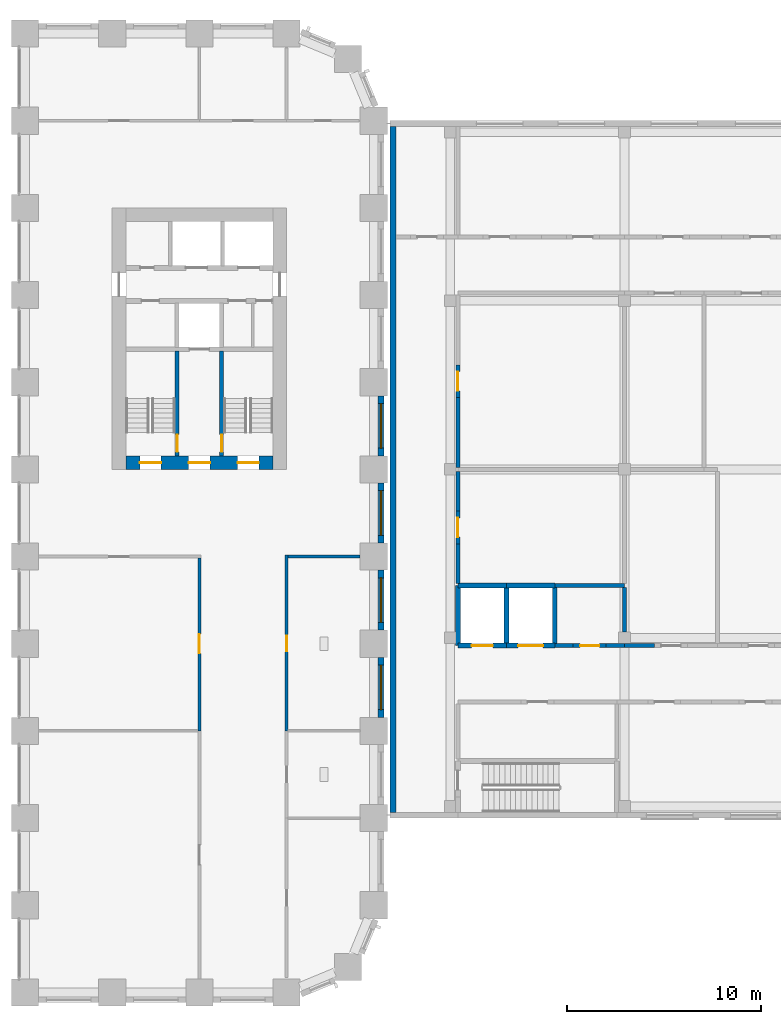
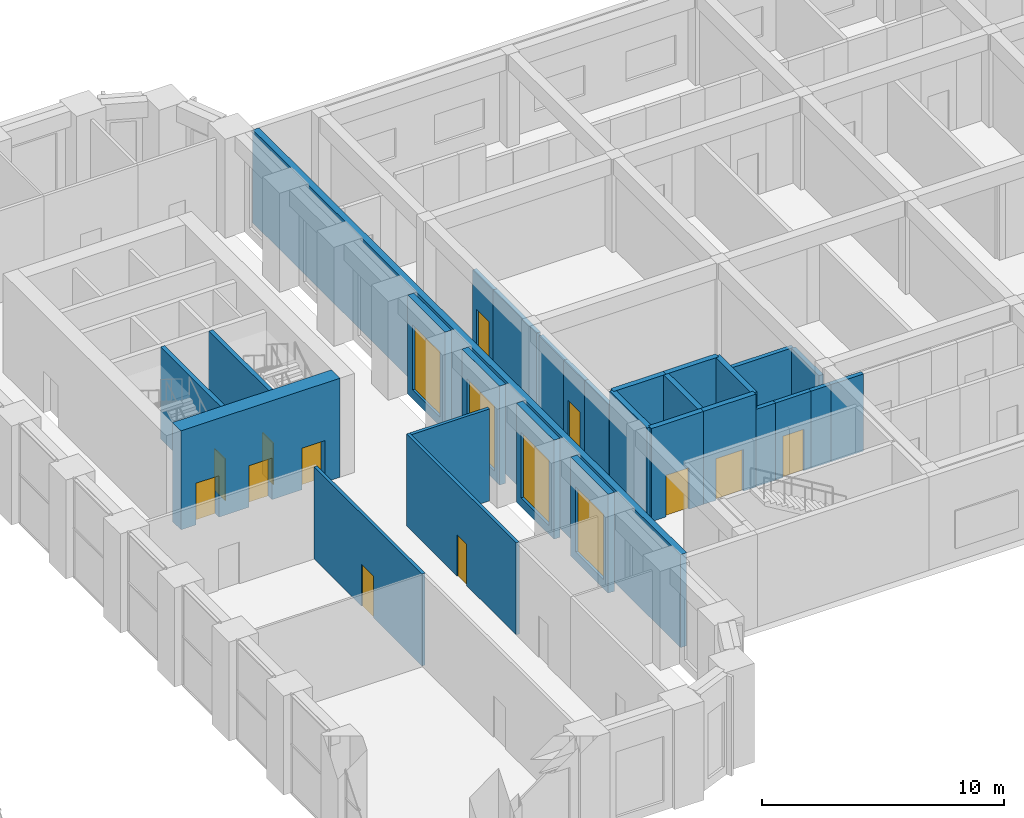
# One storey, part 10 of 24: 29 walls, 12 doors, 4 windows, 16 openings.
"""IFC4 building model written with IfcOpenShell, lengths in metres."""

import ifcopenshell
import ifcopenshell.guid

model = None  # the IFC model being written
_history = None  # IfcOwnerHistory: only IFC2X3 demands one
_inside = {}  # id of a spatial element -> (the spatial element, [elements in it])
_under = {}  # id of a project, library or spatial element -> (it, [spatial elements below it])
_declared = {}  # id of a project -> (the project, [libraries it declares])
_typed = {}  # id of a type object -> (the type object, [elements of that type])
_made_of = {}  # id of a material, layer set ... -> (it, [elements and type objects made of it])


def new_model(schema):
    """Start an empty IFC model of exactly this schema.

    Asked for "IFC4X3", IfcOpenShell would pick the latest addendum, in which some entities
    have other attributes; the version numbers below select the first issue.
    IFC2X3 requires an IfcOwnerHistory on every rooted entity: one is made here for all.
    """
    global model, _history
    if schema == "IFC4X3":
        model = ifcopenshell.file(schema_version=(4, 3, 0, 0))
    else:
        model = ifcopenshell.file(schema=schema)
    _inside.clear()
    _under.clear()
    _declared.clear()
    _typed.clear()
    _made_of.clear()
    _history = None
    if model.schema == "IFC2X3":
        org = make("IfcOrganization", Name="unknown")
        user = make(
            "IfcPersonAndOrganization",
            ThePerson=make("IfcPerson", FamilyName="unknown"),
            TheOrganization=org,
        )
        app = make(
            "IfcApplication",
            ApplicationDeveloper=org,
            Version="unknown",
            ApplicationFullName="unknown",
            ApplicationIdentifier="unknown",
        )
        _history = make(
            "IfcOwnerHistory",
            OwningUser=user,
            OwningApplication=app,
            ChangeAction="ADDED",
            CreationDate=0,
        )
    return model


def make(cls, **values):
    """One entity of the class cls with the attributes given. An attribute that is None is left unset."""
    return model.create_entity(
        cls, **{name: value for name, value in values.items() if value is not None}
    )


def rooted(cls, **values):
    """An entity with a GlobalId (a new one), such as an element, a storey or a relation."""
    return make(cls, GlobalId=ifcopenshell.guid.new(), OwnerHistory=_history, **values)


def si_unit(unit_type, name, prefix=None):
    """IfcSIUnit, for example si_unit("LENGTHUNIT", "METRE", prefix="MILLI")."""
    return make("IfcSIUnit", UnitType=unit_type, Prefix=prefix, Name=name)


def assignment(units):
    """IfcUnitAssignment: the units of a project."""
    return None if units is None else make("IfcUnitAssignment", Units=units)


def point(xyz):
    """IfcCartesianPoint."""
    return None if xyz is None else make("IfcCartesianPoint", Coordinates=xyz)


def direction(xyz):
    """IfcDirection."""
    return None if xyz is None else make("IfcDirection", DirectionRatios=xyz)


def frame(location, z_axis=None, x_axis=None):
    """IfcAxis2Placement3D, a coordinate frame: its origin and axes. An axis left out is left unset."""
    return make(
        "IfcAxis2Placement3D",
        Location=point(location),
        Axis=direction(z_axis),
        RefDirection=direction(x_axis),
    )


def frame_2d(location, x_axis=None):
    """IfcAxis2Placement2D, a coordinate frame in the plane: its origin and x axis."""
    return make(
        "IfcAxis2Placement2D", Location=point(location), RefDirection=direction(x_axis)
    )


def origin():
    """The frame at (0, 0, 0) with its axes left unset."""
    return frame((0.0, 0.0, 0.0))


def place(relative_to, where):
    """IfcLocalPlacement: puts the frame where relative to a parent placement (None: the world)."""
    return make(
        "IfcLocalPlacement", PlacementRelTo=relative_to, RelativePlacement=where
    )


def context(
    kind, dimensions, precision=None, world=None, true_north=None, identifier=None
):
    """IfcGeometricRepresentationContext, for example the 3D "Model" context."""
    return make(
        "IfcGeometricRepresentationContext",
        ContextIdentifier=identifier,
        ContextType=kind,
        CoordinateSpaceDimension=dimensions,
        Precision=precision,
        WorldCoordinateSystem=world,
        TrueNorth=true_north,
    )


def subcontext(parent, identifier, kind, view, scale=None):
    """IfcGeometricRepresentationSubContext, for example "Body" below "Model"."""
    return make(
        "IfcGeometricRepresentationSubContext",
        ContextIdentifier=identifier,
        ContextType=kind,
        ParentContext=parent,
        TargetScale=scale,
        TargetView=view,
    )


def project(units=None, contexts=None):
    """IfcProject with its units and contexts."""
    return rooted(
        "IfcProject",
        Name="project",
        RepresentationContexts=contexts,
        UnitsInContext=assignment(units),
    )


def spatial(cls, under=None, at=None, **own):
    """A site, building, storey or space (cls), placed at a placement, below another one or the project."""
    s = rooted(cls, ObjectPlacement=at, **own)
    if under is not None:
        _under.setdefault(under.id(), (under, []))[1].append(s)
    return s


def profile(cls, at=None, kind="AREA", **sizes):
    """A parametric profile (cls). Its sizes go by their IFC names, for example OverallWidth=200.0."""
    return make(cls, ProfileType=kind, Position=at, **sizes)


def rectangle(**sizes):
    """IfcRectangleProfileDef."""
    return profile("IfcRectangleProfileDef", **sizes)


def extrude(swept, where, along, depth):
    """IfcExtrudedAreaSolid: the profile swept, set in the frame where, extruded along a direction by depth."""
    return make(
        "IfcExtrudedAreaSolid",
        SweptArea=swept,
        Position=where,
        ExtrudedDirection=direction(along),
        Depth=depth,
    )


def shape(context_of_items, identifier, shape_type, items):
    """IfcShapeRepresentation: the items that make up one representation, for example the "Body"."""
    return make(
        "IfcShapeRepresentation",
        ContextOfItems=context_of_items,
        RepresentationIdentifier=identifier,
        RepresentationType=shape_type,
        Items=items,
    )


def material(Name=None, Category=None):
    """IfcMaterial."""
    return make("IfcMaterial", Name=Name, Category=Category)


def layer(
    of_material, thickness, ventilated=None, Name=None, Category=None, Priority=None
):
    """IfcMaterialLayer: one layer of a wall or slab, of a material (None: an air gap)."""
    return make(
        "IfcMaterialLayer",
        Material=of_material,
        LayerThickness=thickness,
        IsVentilated=ventilated,
        Name=Name,
        Category=Category,
        Priority=Priority,
    )


def layer_set(layers, Name=None):
    """IfcMaterialLayerSet."""
    return make("IfcMaterialLayerSet", MaterialLayers=layers, LayerSetName=Name)


def made_of(thing, what):
    """Note that an element or type object is made of a material, layer set ...; save() writes the relation."""
    if what is not None:
        _made_of.setdefault(what.id(), (what, []))[1].append(thing)
    return thing


def type_object(cls, material=None, **own):
    """A type object (cls), such as IfcWallType, which elements share."""
    return made_of(rooted(cls, **own), material)


def element(
    cls,
    number,
    at=None,
    inside=None,
    cuts=None,
    type_object=None,
    material=None,
    context=None,
    identifier="Body",
    shape_type=None,
    held_by="IfcProductDefinitionShape",
    body=None,
    shapes=None,
    **own,
):
    """One element of the class cls, such as IfcWall. Its Tag is "e" and its number.

    at: its placement. inside: the storey or other place that contains it. cuts: it is an
    opening in that element (IfcRelVoidsElement). A single representation is given by context,
    identifier, shape_type and body (its items); several are given by shapes. held_by: the class
    of the entity that holds the representations. save() writes the other relations.
    """
    e = rooted(cls, Tag="e%d" % number, ObjectPlacement=at, **own)
    if body is not None:
        shapes = [shape(context, identifier, shape_type, body)]
    if shapes is not None:
        e.Representation = make(held_by, Representations=shapes)
    if inside is not None:
        _inside.setdefault(inside.id(), (inside, []))[1].append(e)
    if cuts is not None:
        rooted(
            "IfcRelVoidsElement", RelatingBuildingElement=cuts, RelatedOpeningElement=e
        )
    if type_object is not None:
        _typed.setdefault(type_object.id(), (type_object, []))[1].append(e)
    return made_of(e, material)


def fill(opening, filler):
    """IfcRelFillsElement: the door or window that sits in an opening."""
    return rooted(
        "IfcRelFillsElement",
        RelatingOpeningElement=opening,
        RelatedBuildingElement=filler,
    )


def aggregate(whole, parts):
    """IfcRelAggregates: a whole, such as a stair, and the parts it consists of."""
    return rooted("IfcRelAggregates", RelatingObject=whole, RelatedObjects=parts)


def save(model, path):
    """Write the relations noted so far, then the file.

    IfcRelAggregates (storeys below a building ...), IfcRelContainedInSpatialStructure (elements
    in a storey), IfcRelDefinesByType, IfcRelAssociatesMaterial and IfcRelDeclares: one each for
    every whole, place, type object, material and project.
    """
    for whole, parts in _under.values():
        aggregate(whole, parts)
    for where, things in _inside.values():
        rooted(
            "IfcRelContainedInSpatialStructure",
            RelatedElements=things,
            RelatingStructure=where,
        )
    for kind, things in _typed.values():
        rooted("IfcRelDefinesByType", RelatedObjects=things, RelatingType=kind)
    for what, things in _made_of.values():
        rooted("IfcRelAssociatesMaterial", RelatedObjects=things, RelatingMaterial=what)
    for by, libraries in _declared.values():
        rooted("IfcRelDeclares", RelatingContext=by, RelatedDefinitions=libraries)
    model.write(path)


model = new_model("IFC4")

# Units and contexts
model_context = context("Model", 3, precision=1e-05, world=origin(), true_north=direction((0.0, 1.0)))
body_context = subcontext(model_context, "Body", "Model", "MODEL_VIEW")
ifc_project = project(units=[si_unit("LENGTHUNIT", "METRE"), si_unit("AREAUNIT", "SQUARE_METRE"), si_unit("VOLUMEUNIT", "CUBIC_METRE"), si_unit("PLANEANGLEUNIT", "RADIAN"), si_unit("MASSUNIT", "GRAM", prefix="KILO")], contexts=[model_context])

# Site, building, storey
site_placement = place(None, origin())
site = spatial("IfcSite", under=ifc_project, at=site_placement, CompositionType="ELEMENT")
building_placement = place(site_placement, origin())
building = spatial("IfcBuilding", under=site, at=building_placement, Name="Girih Gate Residences", CompositionType="ELEMENT")
storey_placement = place(building_placement, frame((0.0, 0.0, 11.0)))
storey = spatial("IfcBuildingStorey", under=building, at=storey_placement, Name="L02", CompositionType="ELEMENT", Elevation=11.0)

# Wall
ifc_material_1 = material(Name="Gypsum board on steel studs", Category="steel")
ifc_layer_1 = layer(ifc_material_1, 0.14990234375)
ifc_layer_set_1 = layer_set([ifc_layer_1], Name="Compartment wall 150 mm")
wall_type_1 = type_object("IfcWallType", Name="Compartment wall 150 mm", PredefinedType="PARTITIONING", material=ifc_layer_set_1)
wall_1_placement = place(storey_placement, frame((45.074951171875, 22.5, 0.0), z_axis=(0.0, 0.0, 1.0), x_axis=(1.0, 0.0, 0.0)))
element("IfcWall", 1, at=wall_1_placement, inside=storey, type_object=wall_type_1, Name="L02 partition", PredefinedType="PARTITIONING", context=body_context, shape_type="SweptSolid", body=[
    extrude(rectangle(XDim=3.72509765625, YDim=0.14990234375, at=frame_2d((1.862548828125, 0.0))), origin(), (0.0, 0.0, 1.0), 4.64990234375),
])

# Wall, opening, door
wall_2_placement = place(storey_placement, frame((40.5, 13.5, 0.0), z_axis=(0.0, 0.0, 1.0), x_axis=(0.0, 1.0, 0.0)))
wall_2 = element("IfcWall", 2, at=wall_2_placement, inside=storey, type_object=wall_type_1, Name="L02 partition", PredefinedType="PARTITIONING", context=body_context, shape_type="SweptSolid", body=[
    extrude(rectangle(XDim=8.925048828125, YDim=0.14990234375, at=frame_2d((4.46240234375, 0.0))), origin(), (0.0, 0.0, 1.0), 4.64990234375),
])
opening_1_placement = place(wall_2_placement, frame((4.0, 0.0, 0.0)))
opening_1 = element("IfcOpeningElement", 3, at=opening_1_placement, cuts=wall_2, Name="Opening D-L02-S-006", PredefinedType="OPENING", context=body_context, shape_type="SweptSolid", body=[
    extrude(rectangle(XDim=1.0, YDim=2.10009765625, at=frame_2d((0.5, 1.050048828125))), frame((0.0, 0.0849609375, 0.0), z_axis=(0.0, -1.0, 0.0), x_axis=(1.0, 0.0, 0.0)), (0.0, 0.0, 1.0), 0.169921875),
])
ifc_material_2 = material(Name="Timber, fire-rated core", Category="wood")
door_type_1 = type_object("IfcDoorType", Name="Amenity door 1000x2100 FD30S", OperationType="SINGLE_SWING_LEFT", PredefinedType="DOOR", material=ifc_material_2)
door_1_placement = place(opening_1_placement, origin())
door_1 = element("IfcDoor", 4, at=door_1_placement, inside=storey, type_object=door_type_1, Name="Door L02-006", OperationType="SINGLE_SWING_RIGHT", OverallHeight=2.10009765625, OverallWidth=1.0, PredefinedType="DOOR", context=body_context, shape_type="SweptSolid", body=[
    extrude(rectangle(XDim=1.0, YDim=2.10009765625, at=frame_2d((0.5, 1.050048828125))), frame((0.0, 0.02490234375, 0.0), z_axis=(0.0, -1.0, 0.0), x_axis=(1.0, 0.0, 0.0)), (0.0, 0.0, 1.0), 0.050048828125),
])
fill(opening_1, door_1)

wall_3_placement = place(storey_placement, frame((45.0, 22.574951171875, 0.0), z_axis=(0.0, 0.0, 1.0), x_axis=(0.0, -1.0, 0.0)))
wall_3 = element("IfcWall", 5, at=wall_3_placement, inside=storey, type_object=wall_type_1, Name="L02 partition", PredefinedType="PARTITIONING", context=body_context, shape_type="SweptSolid", body=[
    extrude(rectangle(XDim=9.074951171875, YDim=0.14990234375, at=frame_2d((4.53759765625, 0.0))), origin(), (0.0, 0.0, 1.0), 4.64990234375),
])
opening_2_placement = place(wall_3_placement, frame((4.175048828125, 0.0, 0.0)))
opening_2 = element("IfcOpeningElement", 6, at=opening_2_placement, cuts=wall_3, Name="Opening D-L02-S-009", PredefinedType="OPENING", context=body_context, shape_type="SweptSolid", body=[
    extrude(rectangle(XDim=0.800048828125, YDim=2.10009765625, at=frame_2d((0.39990234375, 1.050048828125))), frame((0.0, 0.0849609375, 0.0), z_axis=(0.0, -1.0, 0.0), x_axis=(1.0, 0.0, 0.0)), (0.0, 0.0, 1.0), 0.169921875),
])
ifc_material_3 = material(Name="Timber", Category="wood")
door_type_2 = type_object("IfcDoorType", Name="WC and store door 800x2100", OperationType="SINGLE_SWING_LEFT", PredefinedType="DOOR", material=ifc_material_3)
door_2_placement = place(opening_2_placement, origin())
door_2 = element("IfcDoor", 7, at=door_2_placement, inside=storey, type_object=door_type_2, Name="Door L02-009", OperationType="SINGLE_SWING_RIGHT", OverallHeight=2.10009765625, OverallWidth=0.800048828125, PredefinedType="DOOR", context=body_context, shape_type="SweptSolid", body=[
    extrude(rectangle(XDim=0.800048828125, YDim=2.10009765625, at=frame_2d((0.39990234375, 1.050048828125))), frame((0.0, 0.02490234375, 0.0), z_axis=(0.0, -1.0, 0.0), x_axis=(1.0, 0.0, 0.0)), (0.0, 0.0, 1.0), 0.050048828125),
])
fill(opening_2, door_2)

# Wall, openings, doors
ifc_material_4 = material(Name="Concrete C60/75", Category="concrete")
ifc_layer_2 = layer(ifc_material_4, 0.699951171875)
ifc_layer_set_2 = layer_set([ifc_layer_2], Name="Core wall RC 700 Concrete C60/75")
wall_type_2 = type_object("IfcWallType", Name="Core wall RC 700 Concrete C60/75", PredefinedType="SOLIDWALL", material=ifc_layer_set_2)
wall_4_placement = place(storey_placement, frame((36.699951171875, 27.35009765625, 0.0), z_axis=(0.0, 0.0, 1.0), x_axis=(1.0, 0.0, 0.0)))
wall_4 = element("IfcWall", 8, at=wall_4_placement, inside=storey, type_object=wall_type_2, Name="Core wall E-S L02", PredefinedType="SOLIDWALL", context=body_context, shape_type="SweptSolid", body=[
    extrude(rectangle(XDim=7.60009765625, YDim=0.699951171875, at=frame_2d((3.800048828125, 0.0))), origin(), (0.0, 0.0, 1.0), 5.0),
])
opening_3_placement = place(wall_4_placement, frame((5.77490234375, 0.0, 0.0)))
opening_3 = element("IfcOpeningElement", 9, at=opening_3_placement, cuts=wall_4, Name="Opening D-L02-E-010", PredefinedType="OPENING", context=body_context, shape_type="SweptSolid", body=[
    extrude(rectangle(XDim=1.10009765625, YDim=2.10009765625, at=frame_2d((0.550048828125, 1.050048828125))), frame((0.0, 0.35986328125, 0.0), z_axis=(0.0, -1.0, 0.0), x_axis=(1.0, 0.0, 0.0)), (0.0, 0.0, 1.0), 0.719970703125),
])
opening_4_placement = place(wall_4_placement, frame((3.25, 0.0, 0.0)))
opening_4 = element("IfcOpeningElement", 10, at=opening_4_placement, cuts=wall_4, Name="Opening D-L02-E-011", PredefinedType="OPENING", context=body_context, shape_type="SweptSolid", body=[
    extrude(rectangle(XDim=1.10009765625, YDim=2.10009765625, at=frame_2d((0.550048828125, 1.050048828125))), frame((0.0, 0.35986328125, 0.0), z_axis=(0.0, -1.0, 0.0), x_axis=(1.0, 0.0, 0.0)), (0.0, 0.0, 1.0), 0.719970703125),
])
opening_5_placement = place(wall_4_placement, frame((0.72509765625, 0.0, 0.0)))
opening_5 = element("IfcOpeningElement", 11, at=opening_5_placement, cuts=wall_4, Name="Opening D-L02-E-012", PredefinedType="OPENING", context=body_context, shape_type="SweptSolid", body=[
    extrude(rectangle(XDim=1.10009765625, YDim=2.10009765625, at=frame_2d((0.550048828125, 1.050048828125))), frame((0.0, 0.35986328125, 0.0), z_axis=(0.0, -1.0, 0.0), x_axis=(1.0, 0.0, 0.0)), (0.0, 0.0, 1.0), 0.719970703125),
])
ifc_material_5 = material(Name="Painted steel, fire-resisting", Category="steel")
door_type_3 = type_object("IfcDoorType", Name="Fire door 1100x2100", OperationType="SINGLE_SWING_LEFT", PredefinedType="DOOR", material=ifc_material_5)
door_3_placement = place(opening_3_placement, origin())
door_3 = element("IfcDoor", 12, at=door_3_placement, inside=storey, type_object=door_type_3, Name="L02 E core door sta-out", OperationType="SINGLE_SWING_LEFT", OverallHeight=2.10009765625, OverallWidth=1.10009765625, PredefinedType="DOOR", context=body_context, shape_type="SweptSolid", body=[
    extrude(rectangle(XDim=1.10009765625, YDim=2.10009765625, at=frame_2d((0.550048828125, 1.050048828125))), frame((0.0, 0.02490234375, 0.0), z_axis=(0.0, -1.0, 0.0), x_axis=(1.0, 0.0, 0.0)), (0.0, 0.0, 1.0), 0.050048828125),
])
fill(opening_3, door_3)
door_4_placement = place(opening_4_placement, origin())
door_4 = element("IfcDoor", 13, at=door_4_placement, inside=storey, type_object=door_type_3, Name="L02 E core door ffl-out", OperationType="SINGLE_SWING_LEFT", OverallHeight=2.10009765625, OverallWidth=1.10009765625, PredefinedType="DOOR", context=body_context, shape_type="SweptSolid", body=[
    extrude(rectangle(XDim=1.10009765625, YDim=2.10009765625, at=frame_2d((0.550048828125, 1.050048828125))), frame((0.0, 0.02490234375, 0.0), z_axis=(0.0, -1.0, 0.0), x_axis=(1.0, 0.0, 0.0)), (0.0, 0.0, 1.0), 0.050048828125),
])
fill(opening_4, door_4)
door_5_placement = place(opening_5_placement, origin())
door_5 = element("IfcDoor", 14, at=door_5_placement, inside=storey, type_object=door_type_3, Name="L02 E core door stb-out", OperationType="SINGLE_SWING_LEFT", OverallHeight=2.10009765625, OverallWidth=1.10009765625, PredefinedType="DOOR", context=body_context, shape_type="SweptSolid", body=[
    extrude(rectangle(XDim=1.10009765625, YDim=2.10009765625, at=frame_2d((0.550048828125, 1.050048828125))), frame((0.0, 0.02490234375, 0.0), z_axis=(0.0, -1.0, 0.0), x_axis=(1.0, 0.0, 0.0)), (0.0, 0.0, 1.0), 0.050048828125),
])
fill(opening_5, door_5)

# Wall
ifc_material_6 = material(Name="Fire-rated gypsum partition")
ifc_layer_3 = layer(ifc_material_6, 0.199951171875)
ifc_layer_set_3 = layer_set([ifc_layer_3], Name="HC Corridor wall 200 EI 60")
wall_type_3 = type_object("IfcWallType", Name="HC Corridor wall 200 EI 60", PredefinedType="PARTITIONING", material=ifc_layer_set_3)
wall_5_placement = place(storey_placement, frame((58.85009765625, 17.89990234375, 0.0), z_axis=(0.0, 0.0, 1.0), x_axis=(1.0, 0.0, 0.0)))
element("IfcWall", 15, at=wall_5_placement, inside=storey, type_object=wall_type_3, Name="L02 wall x17.90/58.9", PredefinedType="PARTITIONING", context=body_context, shape_type="SweptSolid", body=[
    extrude(rectangle(XDim=0.949951171875, YDim=0.199951171875, at=frame_2d((0.47509765625, 0.0))), origin(), (0.0, 0.0, 1.0), 3.89990234375),
])

# Wall, opening, door
wall_6_placement = place(storey_placement, frame((59.800048828125, 17.89990234375, 0.0), z_axis=(0.0, 0.0, 1.0), x_axis=(1.0, 0.0, 0.0)))
wall_6 = element("IfcWall", 16, at=wall_6_placement, inside=storey, type_object=wall_type_3, Name="L02 wall x17.90/59.8", PredefinedType="PARTITIONING", context=body_context, shape_type="SweptSolid", body=[
    extrude(rectangle(XDim=1.699951171875, YDim=0.199951171875, at=frame_2d((0.85009765625, 0.0))), origin(), (0.0, 0.0, 1.0), 3.89990234375),
])
opening_6_placement = place(wall_6_placement, frame((0.35009765625, 0.0, 0.0)))
opening_6 = element("IfcOpeningElement", 17, at=opening_6_placement, cuts=wall_6, Name="Opening HC-L02-D14", PredefinedType="OPENING", context=body_context, shape_type="SweptSolid", body=[
    extrude(rectangle(XDim=1.0, YDim=2.10009765625, at=frame_2d((0.5, 1.050048828125))), frame((0.0, 0.10986328125, 0.0), z_axis=(0.0, -1.0, 0.0), x_axis=(1.0, 0.0, 0.0)), (0.0, 0.0, 1.0), 0.219970703125),
])
ifc_material_7 = material(Name="Steel door set", Category="steel")
door_type_4 = type_object("IfcDoorType", Name="HC Door 1000x2100 FD60", OperationType="NOTDEFINED", PredefinedType="DOOR", material=ifc_material_7)
door_6_placement = place(opening_6_placement, origin())
door_6 = element("IfcDoor", 18, at=door_6_placement, inside=storey, type_object=door_type_4, Name="L02 Electrical riser door", OperationType="SINGLE_SWING_RIGHT", OverallHeight=2.10009765625, OverallWidth=1.0, PredefinedType="DOOR", context=body_context, shape_type="SweptSolid", body=[
    extrude(rectangle(XDim=1.0, YDim=2.10009765625, at=frame_2d((0.5, 1.050048828125))), frame((0.0, 0.02490234375, 0.0), z_axis=(0.0, -1.0, 0.0), x_axis=(1.0, 0.0, 0.0)), (0.0, 0.0, 1.0), 0.050048828125),
])
fill(opening_6, door_6)

# Walls
wall_7_placement = place(storey_placement, frame((61.5, 17.89990234375, 0.0), z_axis=(0.0, 0.0, 1.0), x_axis=(1.0, 0.0, 0.0)))
element("IfcWall", 19, at=wall_7_placement, inside=storey, type_object=wall_type_3, Name="L02 wall x17.90/61.5", PredefinedType="PARTITIONING", context=body_context, shape_type="SweptSolid", body=[
    extrude(rectangle(XDim=0.949951171875, YDim=0.199951171875, at=frame_2d((0.47509765625, 0.0))), origin(), (0.0, 0.0, 1.0), 3.89990234375),
])
wall_8_placement = place(storey_placement, frame((62.449951171875, 17.89990234375, 0.0), z_axis=(0.0, 0.0, 1.0), x_axis=(1.0, 0.0, 0.0)))
element("IfcWall", 20, at=wall_8_placement, inside=storey, type_object=wall_type_3, Name="L02 wall x17.90/62.5", PredefinedType="PARTITIONING", context=body_context, shape_type="SweptSolid", body=[
    extrude(rectangle(XDim=1.550048828125, YDim=0.199951171875, at=frame_2d((0.77490234375, 0.0))), origin(), (0.0, 0.0, 1.0), 3.89990234375),
])
wall_9_placement = place(storey_placement, frame((58.85009765625, 21.0, 0.0), z_axis=(0.0, 0.0, 1.0), x_axis=(1.0, 0.0, 0.0)))
element("IfcWall", 21, at=wall_9_placement, inside=storey, type_object=wall_type_3, Name="L02 wall x21.00/58.9", PredefinedType="PARTITIONING", context=body_context, shape_type="SweptSolid", body=[
    extrude(rectangle(XDim=3.599853515625, YDim=0.199951171875, at=frame_2d((1.7998046875, 0.0))), origin(), (0.0, 0.0, 1.0), 3.89990234375),
])
wall_10_placement = place(storey_placement, frame((53.85009765625, 21.10009765625, 0.0), z_axis=(0.0, 0.0, 1.0), x_axis=(0.0, 1.0, 0.0)))
element("IfcWall", 22, at=wall_10_placement, inside=storey, type_object=wall_type_3, Name="L02 wall y53.85/21.1", PredefinedType="PARTITIONING", context=body_context, shape_type="SweptSolid", body=[
    extrude(rectangle(XDim=2.0498046875, YDim=0.199951171875, at=frame_2d((1.02490234375, 0.0))), origin(), (0.0, 0.0, 1.0), 3.89990234375),
])

# Wall, opening, door
wall_11_placement = place(storey_placement, frame((53.85009765625, 24.85009765625, 0.0), z_axis=(0.0, 0.0, 1.0), x_axis=(0.0, -1.0, 0.0)))
wall_11 = element("IfcWall", 23, at=wall_11_placement, inside=storey, type_object=wall_type_3, Name="L02 wall y53.85/23.1", PredefinedType="PARTITIONING", context=body_context, shape_type="SweptSolid", body=[
    extrude(rectangle(XDim=1.7001953125, YDim=0.199951171875, at=frame_2d((0.85009765625, 0.0))), origin(), (0.0, 0.0, 1.0), 3.89990234375),
])
opening_7_placement = place(wall_11_placement, frame((0.35009765625, 0.0, 0.0)))
opening_7 = element("IfcOpeningElement", 24, at=opening_7_placement, cuts=wall_11, Name="Opening HC-L02-D15", PredefinedType="OPENING", context=body_context, shape_type="SweptSolid", body=[
    extrude(rectangle(XDim=1.0, YDim=2.10009765625, at=frame_2d((0.5, 1.050048828125))), frame((0.0, 0.10986328125, 0.0), z_axis=(0.0, -1.0, 0.0), x_axis=(1.0, 0.0, 0.0)), (0.0, 0.0, 1.0), 0.219970703125),
])
ifc_material_8 = material(Name="Timber door set", Category="wood")
door_type_5 = type_object("IfcDoorType", Name="HC Door 1000x2100 FD30S", OperationType="NOTDEFINED", PredefinedType="DOOR", material=ifc_material_8)
door_7_placement = place(opening_7_placement, origin())
door_7 = element("IfcDoor", 25, at=door_7_placement, inside=storey, type_object=door_type_5, Name="L02 Primary care waiting area door", OperationType="SINGLE_SWING_RIGHT", OverallHeight=2.10009765625, OverallWidth=1.0, PredefinedType="DOOR", context=body_context, shape_type="SweptSolid", body=[
    extrude(rectangle(XDim=1.0, YDim=2.10009765625, at=frame_2d((0.5, 1.050048828125))), frame((0.0, 0.02490234375, 0.0), z_axis=(0.0, -1.0, 0.0), x_axis=(1.0, 0.0, 0.0)), (0.0, 0.0, 1.0), 0.050048828125),
])
fill(opening_7, door_7)

# Walls
wall_12_placement = place(storey_placement, frame((53.85009765625, 24.85009765625, 0.0), z_axis=(0.0, 0.0, 1.0), x_axis=(0.0, 1.0, 0.0)))
element("IfcWall", 26, at=wall_12_placement, inside=storey, type_object=wall_type_3, Name="L02 wall y53.85/24.9", PredefinedType="PARTITIONING", context=body_context, shape_type="SweptSolid", body=[
    extrude(rectangle(XDim=2.0498046875, YDim=0.199951171875, at=frame_2d((1.02490234375, 0.0))), origin(), (0.0, 0.0, 1.0), 3.89990234375),
])
wall_13_placement = place(storey_placement, frame((53.85009765625, 27.10009765625, 0.0), z_axis=(0.0, 0.0, 1.0), x_axis=(0.0, 1.0, 0.0)))
element("IfcWall", 27, at=wall_13_placement, inside=storey, type_object=wall_type_3, Name="L02 wall y53.85/27.1", PredefinedType="PARTITIONING", context=body_context, shape_type="SweptSolid", body=[
    extrude(rectangle(XDim=3.599853515625, YDim=0.199951171875, at=frame_2d((1.7998046875, 0.0))), origin(), (0.0, 0.0, 1.0), 3.89990234375),
])

# Wall, opening, door
wall_14_placement = place(storey_placement, frame((53.85009765625, 32.39990234375, 0.0), z_axis=(0.0, 0.0, 1.0), x_axis=(0.0, -1.0, 0.0)))
wall_14 = element("IfcWall", 28, at=wall_14_placement, inside=storey, type_object=wall_type_3, Name="L02 wall y53.85/30.7", PredefinedType="PARTITIONING", context=body_context, shape_type="SweptSolid", body=[
    extrude(rectangle(XDim=1.699951171875, YDim=0.199951171875, at=frame_2d((0.85009765625, 0.0))), origin(), (0.0, 0.0, 1.0), 3.89990234375),
])
opening_8_placement = place(wall_14_placement, frame((0.35009765625, 0.0, 0.0)))
opening_8 = element("IfcOpeningElement", 29, at=opening_8_placement, cuts=wall_14, Name="Opening HC-L02-D21", PredefinedType="OPENING", context=body_context, shape_type="SweptSolid", body=[
    extrude(rectangle(XDim=1.0, YDim=2.10009765625, at=frame_2d((0.5, 1.050048828125))), frame((0.0, 0.10986328125, 0.0), z_axis=(0.0, -1.0, 0.0), x_axis=(1.0, 0.0, 0.0)), (0.0, 0.0, 1.0), 0.219970703125),
])
door_8_placement = place(opening_8_placement, origin())
door_8 = element("IfcDoor", 30, at=door_8_placement, inside=storey, type_object=door_type_5, Name="L02 Clean utility room door", OperationType="SINGLE_SWING_RIGHT", OverallHeight=2.10009765625, OverallWidth=1.0, PredefinedType="DOOR", context=body_context, shape_type="SweptSolid", body=[
    extrude(rectangle(XDim=1.0, YDim=2.10009765625, at=frame_2d((0.5, 1.050048828125))), frame((0.0, 0.02490234375, 0.0), z_axis=(0.0, -1.0, 0.0), x_axis=(1.0, 0.0, 0.0)), (0.0, 0.0, 1.0), 0.050048828125),
])
fill(opening_8, door_8)

# Walls
wall_15_placement = place(storey_placement, frame((62.449951171875, 18.60009765625, 0.0), z_axis=(0.0, 0.0, 1.0), x_axis=(0.0, 1.0, 0.0)))
element("IfcWall", 31, at=wall_15_placement, inside=storey, type_object=wall_type_3, Name="L02 wall y62.45/18.6", PredefinedType="PARTITIONING", context=body_context, shape_type="SweptSolid", body=[
    extrude(rectangle(XDim=2.2998046875, YDim=0.199951171875, at=frame_2d((1.14990234375, 0.0))), origin(), (0.0, 0.0, 1.0), 3.89990234375),
])
ifc_material_9 = material(Name="Precast concrete C40/50", Category="concrete")
ifc_layer_4 = layer(ifc_material_9, 0.300048828125)
ifc_layer_set_4 = layer_set([ifc_layer_4], Name="HC Facade wall 300")
wall_type_4 = type_object("IfcWallType", Name="HC Facade wall 300", PredefinedType="SOLIDWALL", material=ifc_layer_set_4)
wall_16_placement = place(storey_placement, frame((50.5, 9.300048828125, 0.0), z_axis=(0.0, 0.0, 1.0), x_axis=(0.0, 1.0, 0.0)))
element("IfcWall", 32, at=wall_16_placement, inside=storey, type_object=wall_type_4, Name="L02 west facade wall", PredefinedType="SOLIDWALL", context=body_context, shape_type="SweptSolid", body=[
    extrude(rectangle(XDim=35.39990234375, YDim=0.300048828125, at=frame_2d((17.699951171875, 0.0))), origin(), (0.0, 0.0, 1.0), 4.699951171875),
])

# Wall, opening, door
ifc_material_10 = material(Name="Concrete C40/50", Category="concrete")
ifc_layer_5 = layer(ifc_material_10, 0.25)
ifc_layer_set_5 = layer_set([ifc_layer_5], Name="HC Shaft wall 250 C40/50")
wall_type_5 = type_object("IfcWallType", Name="HC Shaft wall 250 C40/50", PredefinedType="SHEAR", material=ifc_layer_set_5)
wall_17_placement = place(storey_placement, frame((56.35009765625, 17.89990234375, 0.0), z_axis=(0.0, 0.0, 1.0), x_axis=(-1.0, 0.0, 0.0)))
wall_17 = element("IfcWall", 33, at=wall_17_placement, inside=storey, type_object=wall_type_5, Name="L02 wall x17.90/53.9", PredefinedType="SHEAR", context=body_context, shape_type="SweptSolid", body=[
    extrude(rectangle(XDim=2.5, YDim=0.25, at=frame_2d((1.25, 0.0))), origin(), (0.0, 0.0, 1.0), 4.699951171875),
])
opening_9_placement = place(wall_17_placement, frame((0.699951171875, 0.0, 0.0)))
opening_9 = element("IfcOpeningElement", 34, at=opening_9_placement, cuts=wall_17, Name="Opening HC-L02-D03", PredefinedType="OPENING", context=body_context, shape_type="SweptSolid", body=[
    extrude(rectangle(XDim=1.10009765625, YDim=2.10009765625, at=frame_2d((0.550048828125, 1.050048828125))), frame((0.0, 0.135009765625, 0.0), z_axis=(0.0, -1.0, 0.0), x_axis=(1.0, 0.0, 0.0)), (0.0, 0.0, 1.0), 0.27001953125),
])
ifc_material_11 = material(Name="Stainless steel door set", Category="steel")
door_type_6 = type_object("IfcDoorType", Name="HC Lift landing door 1100x2100", OperationType="NOTDEFINED", PredefinedType="DOOR", material=ifc_material_11)
door_9_placement = place(opening_9_placement, origin())
door_9 = element("IfcDoor", 35, at=door_9_placement, inside=storey, type_object=door_type_6, Name="L02 Lift 1 landing door", OperationType="SLIDING_TO_RIGHT", OverallHeight=2.10009765625, OverallWidth=1.10009765625, PredefinedType="DOOR", context=body_context, shape_type="SweptSolid", body=[
    extrude(rectangle(XDim=1.10009765625, YDim=2.10009765625, at=frame_2d((0.550048828125, 1.050048828125))), frame((0.0, 0.02490234375, 0.0), z_axis=(0.0, -1.0, 0.0), x_axis=(1.0, 0.0, 0.0)), (0.0, 0.0, 1.0), 0.050048828125),
])
fill(opening_9, door_9)

wall_18_placement = place(storey_placement, frame((58.85009765625, 17.89990234375, 0.0), z_axis=(0.0, 0.0, 1.0), x_axis=(-1.0, 0.0, 0.0)))
wall_18 = element("IfcWall", 36, at=wall_18_placement, inside=storey, type_object=wall_type_5, Name="L02 wall x17.90/56.4", PredefinedType="SHEAR", context=body_context, shape_type="SweptSolid", body=[
    extrude(rectangle(XDim=2.5, YDim=0.25, at=frame_2d((1.25, 0.0))), origin(), (0.0, 0.0, 1.0), 4.699951171875),
])
opening_10_placement = place(wall_18_placement, frame((0.60009765625, 0.0, 0.0)))
opening_10 = element("IfcOpeningElement", 37, at=opening_10_placement, cuts=wall_18, Name="Opening HC-L02-D04", PredefinedType="OPENING", context=body_context, shape_type="SweptSolid", body=[
    extrude(rectangle(XDim=1.300048828125, YDim=2.10009765625, at=frame_2d((0.64990234375, 1.050048828125))), frame((0.0, 0.135009765625, 0.0), z_axis=(0.0, -1.0, 0.0), x_axis=(1.0, 0.0, 0.0)), (0.0, 0.0, 1.0), 0.27001953125),
])
door_type_7 = type_object("IfcDoorType", Name="HC Bed lift landing door 1300x2100", OperationType="NOTDEFINED", PredefinedType="DOOR", material=ifc_material_11)
door_10_placement = place(opening_10_placement, origin())
door_10 = element("IfcDoor", 38, at=door_10_placement, inside=storey, type_object=door_type_7, Name="L02 Lift 2 landing door", OperationType="SLIDING_TO_LEFT", OverallHeight=2.10009765625, OverallWidth=1.300048828125, PredefinedType="DOOR", context=body_context, shape_type="SweptSolid", body=[
    extrude(rectangle(XDim=1.300048828125, YDim=2.10009765625, at=frame_2d((0.64990234375, 1.050048828125))), frame((0.0, 0.02490234375, 0.0), z_axis=(0.0, -1.0, 0.0), x_axis=(1.0, 0.0, 0.0)), (0.0, 0.0, 1.0), 0.050048828125),
])
fill(opening_10, door_10)

# Walls
for number, where, z_axis, x_axis, name in (
    (39, (53.85009765625, 21.0, 0.0), (0.0, 0.0, 1.0), (1.0, 0.0, 0.0), "L02 wall x21.00/53.9"),
    (40, (56.35009765625, 21.0, 0.0), (0.0, 0.0, 1.0), (1.0, 0.0, 0.0), "L02 wall x21.00/56.4"),
):
    element("IfcWall", number, at=place(storey_placement, frame(where, z_axis=z_axis, x_axis=x_axis)), inside=storey, type_object=wall_type_5, Name=name, PredefinedType="SHEAR", context=body_context, shape_type="SweptSolid", body=[
        extrude(rectangle(XDim=2.5, YDim=0.25, at=frame_2d((1.25, 0.0))), origin(), (0.0, 0.0, 1.0), 4.699951171875),
    ])
for number, where, z_axis, x_axis, name in (
    (41, (53.85009765625, 17.89990234375, 0.0), (0.0, 0.0, 1.0), (0.0, 1.0, 0.0), "L02 wall y53.85/17.9"),
    (42, (56.35009765625, 17.89990234375, 0.0), (0.0, 0.0, 1.0), (0.0, 1.0, 0.0), "L02 wall y56.35/17.9"),
    (43, (58.85009765625, 17.89990234375, 0.0), (0.0, 0.0, 1.0), (0.0, 1.0, 0.0), "L02 wall y58.85/17.9"),
):
    element("IfcWall", number, at=place(storey_placement, frame(where, z_axis=z_axis, x_axis=x_axis)), inside=storey, type_object=wall_type_5, Name=name, PredefinedType="SHEAR", context=body_context, shape_type="SweptSolid", body=[
        extrude(rectangle(XDim=3.10009765625, YDim=0.25, at=frame_2d((1.550048828125, 0.0))), origin(), (0.0, 0.0, 1.0), 4.699951171875),
    ])

# Wall, opening, window
ifc_material_12 = material(Name="Precast concrete C50/60", Category="concrete")
ifc_layer_6 = layer(ifc_material_12, 0.080078125, Name="Outer leaf")
ifc_material_13 = material(Name="Rigid PIR insulation")
ifc_layer_7 = layer(ifc_material_13, 0.14990234375, Name="Insulation")
ifc_layer_8 = layer(ifc_material_9, 0.070068359375, Name="Inner leaf")
ifc_layer_set_6 = layer_set([ifc_layer_6, ifc_layer_7, ifc_layer_8], Name="Precast concrete C50/60 external wall 300")
wall_type_6 = type_object("IfcWallType", Name="Precast concrete C50/60 external wall 300", PredefinedType="SOLIDWALL", material=ifc_layer_set_6)
wall_19_placement = place(storey_placement, frame((49.875, 17.300048828125, 0.0), z_axis=(0.0, 0.0, 1.0), x_axis=(0.0, -1.0, 0.0)))
wall_19 = element("IfcWall", 44, at=wall_19_placement, inside=storey, type_object=wall_type_6, Name="External wall E0495_0045.2", PredefinedType="SOLIDWALL", context=body_context, shape_type="SweptSolid", body=[
    extrude(rectangle(XDim=3.10009765625, YDim=0.300048828125, at=frame_2d((1.550048828125, 0.0))), origin(), (0.0, 0.0, 1.0), 5.0),
])
opening_11_placement = place(wall_19_placement, frame((0.39990234375, 0.0, 0.449951171875)))
opening_11 = element("IfcOpeningElement", 45, at=opening_11_placement, cuts=wall_19, Name="Opening W-3", PredefinedType="OPENING", context=body_context, shape_type="SweptSolid", body=[
    extrude(rectangle(XDim=2.300048828125, YDim=3.300048828125, at=frame_2d((1.14990234375, 1.64990234375))), frame((0.0, 0.159912109375, 0.0), z_axis=(0.0, -1.0, 0.0), x_axis=(1.0, 0.0, 0.0)), (0.0, 0.0, 1.0), 0.320068359375),
])
ifc_material_14 = material(Name="Double glazing in aluminium frame", Category="aluminium")
window_type = type_object("IfcWindowType", Name="Window W-3 2300x3300", PartitioningType="SINGLE_PANEL", PredefinedType="WINDOW", material=ifc_material_14)
window_1_placement = place(opening_11_placement, origin())
window_1 = element("IfcWindow", 46, at=window_1_placement, inside=storey, type_object=window_type, Name="Window W-3 E0495_0045.2", OverallHeight=3.300048828125, OverallWidth=2.300048828125, PartitioningType="SINGLE_PANEL", PredefinedType="WINDOW", context=body_context, shape_type="SweptSolid", body=[
    extrude(rectangle(XDim=2.300048828125, YDim=3.300048828125, at=frame_2d((1.14990234375, 1.64990234375))), frame((0.0, 0.030029296875, 0.0), z_axis=(0.0, -1.0, 0.0), x_axis=(1.0, 0.0, 0.0)), (0.0, 0.0, 1.0), 0.06005859375),
])
fill(opening_11, window_1)

wall_20_placement = place(storey_placement, frame((49.875, 21.800048828125, 0.0), z_axis=(0.0, 0.0, 1.0), x_axis=(0.0, -1.0, 0.0)))
wall_20 = element("IfcWall", 47, at=wall_20_placement, inside=storey, type_object=wall_type_6, Name="External wall E0495_0045.3", PredefinedType="SOLIDWALL", context=body_context, shape_type="SweptSolid", body=[
    extrude(rectangle(XDim=3.10009765625, YDim=0.300048828125, at=frame_2d((1.550048828125, 0.0))), origin(), (0.0, 0.0, 1.0), 5.0),
])
opening_12_placement = place(wall_20_placement, frame((0.39990234375, 0.0, 0.449951171875)))
opening_12 = element("IfcOpeningElement", 48, at=opening_12_placement, cuts=wall_20, Name="Opening W-3", PredefinedType="OPENING", context=body_context, shape_type="SweptSolid", body=[
    extrude(rectangle(XDim=2.300048828125, YDim=3.300048828125, at=frame_2d((1.14990234375, 1.64990234375))), frame((0.0, 0.159912109375, 0.0), z_axis=(0.0, -1.0, 0.0), x_axis=(1.0, 0.0, 0.0)), (0.0, 0.0, 1.0), 0.320068359375),
])
window_2_placement = place(opening_12_placement, origin())
window_2 = element("IfcWindow", 49, at=window_2_placement, inside=storey, type_object=window_type, Name="Window W-3 E0495_0045.3", OverallHeight=3.300048828125, OverallWidth=2.300048828125, PartitioningType="SINGLE_PANEL", PredefinedType="WINDOW", context=body_context, shape_type="SweptSolid", body=[
    extrude(rectangle(XDim=2.300048828125, YDim=3.300048828125, at=frame_2d((1.14990234375, 1.64990234375))), frame((0.0, 0.030029296875, 0.0), z_axis=(0.0, -1.0, 0.0), x_axis=(1.0, 0.0, 0.0)), (0.0, 0.0, 1.0), 0.06005859375),
])
fill(opening_12, window_2)

wall_21_placement = place(storey_placement, frame((49.875, 26.300048828125, 0.0), z_axis=(0.0, 0.0, 1.0), x_axis=(0.0, -1.0, 0.0)))
wall_21 = element("IfcWall", 50, at=wall_21_placement, inside=storey, type_object=wall_type_6, Name="External wall E0495_0045.4", PredefinedType="SOLIDWALL", context=body_context, shape_type="SweptSolid", body=[
    extrude(rectangle(XDim=3.10009765625, YDim=0.300048828125, at=frame_2d((1.550048828125, 0.0))), origin(), (0.0, 0.0, 1.0), 5.0),
])
opening_13_placement = place(wall_21_placement, frame((0.39990234375, 0.0, 0.449951171875)))
opening_13 = element("IfcOpeningElement", 51, at=opening_13_placement, cuts=wall_21, Name="Opening W-3", PredefinedType="OPENING", context=body_context, shape_type="SweptSolid", body=[
    extrude(rectangle(XDim=2.300048828125, YDim=3.300048828125, at=frame_2d((1.14990234375, 1.64990234375))), frame((0.0, 0.159912109375, 0.0), z_axis=(0.0, -1.0, 0.0), x_axis=(1.0, 0.0, 0.0)), (0.0, 0.0, 1.0), 0.320068359375),
])
window_3_placement = place(opening_13_placement, origin())
window_3 = element("IfcWindow", 52, at=window_3_placement, inside=storey, type_object=window_type, Name="Window W-3 E0495_0045.4", OverallHeight=3.300048828125, OverallWidth=2.300048828125, PartitioningType="SINGLE_PANEL", PredefinedType="WINDOW", context=body_context, shape_type="SweptSolid", body=[
    extrude(rectangle(XDim=2.300048828125, YDim=3.300048828125, at=frame_2d((1.14990234375, 1.64990234375))), frame((0.0, 0.030029296875, 0.0), z_axis=(0.0, -1.0, 0.0), x_axis=(1.0, 0.0, 0.0)), (0.0, 0.0, 1.0), 0.06005859375),
])
fill(opening_13, window_3)

wall_22_placement = place(storey_placement, frame((49.875, 30.800048828125, 0.0), z_axis=(0.0, 0.0, 1.0), x_axis=(0.0, -1.0, 0.0)))
wall_22 = element("IfcWall", 53, at=wall_22_placement, inside=storey, type_object=wall_type_6, Name="External wall E0495_0045.5", PredefinedType="SOLIDWALL", context=body_context, shape_type="SweptSolid", body=[
    extrude(rectangle(XDim=3.10009765625, YDim=0.300048828125, at=frame_2d((1.550048828125, 0.0))), origin(), (0.0, 0.0, 1.0), 5.0),
])
opening_14_placement = place(wall_22_placement, frame((0.39990234375, 0.0, 0.449951171875)))
opening_14 = element("IfcOpeningElement", 54, at=opening_14_placement, cuts=wall_22, Name="Opening W-3", PredefinedType="OPENING", context=body_context, shape_type="SweptSolid", body=[
    extrude(rectangle(XDim=2.300048828125, YDim=3.300048828125, at=frame_2d((1.14990234375, 1.64990234375))), frame((0.0, 0.159912109375, 0.0), z_axis=(0.0, -1.0, 0.0), x_axis=(1.0, 0.0, 0.0)), (0.0, 0.0, 1.0), 0.320068359375),
])
window_4_placement = place(opening_14_placement, origin())
window_4 = element("IfcWindow", 55, at=window_4_placement, inside=storey, type_object=window_type, Name="Window W-3 E0495_0045.5", OverallHeight=3.300048828125, OverallWidth=2.300048828125, PartitioningType="SINGLE_PANEL", PredefinedType="WINDOW", context=body_context, shape_type="SweptSolid", body=[
    extrude(rectangle(XDim=2.300048828125, YDim=3.300048828125, at=frame_2d((1.14990234375, 1.64990234375))), frame((0.0, 0.030029296875, 0.0), z_axis=(0.0, -1.0, 0.0), x_axis=(1.0, 0.0, 0.0)), (0.0, 0.0, 1.0), 0.06005859375),
])
fill(opening_14, window_4)

# Wall, opening, door
ifc_layer_9 = layer(ifc_material_10, 0.199951171875)
ifc_layer_set_7 = layer_set([ifc_layer_9], Name="Shaft wall 200")
wall_type_7 = type_object("IfcWallType", Name="Shaft wall 200", PredefinedType="SOLIDWALL", material=ifc_layer_set_7)
wall_23_placement = place(storey_placement, frame((41.64990234375, 27.699951171875, 0.0), z_axis=(0.0, 0.0, 1.0), x_axis=(0.0, 1.0, 0.0)))
wall_23 = element("IfcWall", 56, at=wall_23_placement, inside=storey, type_object=wall_type_7, Name="L02 E core wall V1a", PredefinedType="SOLIDWALL", context=body_context, shape_type="SweptSolid", body=[
    extrude(rectangle(XDim=5.400146484375, YDim=0.199951171875, at=frame_2d((2.7001953125, 0.0))), origin(), (0.0, 0.0, 1.0), 4.64990234375),
])
opening_15_placement = place(wall_23_placement, frame((0.199951171875, 0.0, 0.0)))
opening_15 = element("IfcOpeningElement", 57, at=opening_15_placement, cuts=wall_23, Name="Opening D-L02-E-001", PredefinedType="OPENING", context=body_context, shape_type="SweptSolid", body=[
    extrude(rectangle(XDim=0.89990234375, YDim=2.10009765625, at=frame_2d((0.449951171875, 1.050048828125))), frame((0.0, 0.10986328125, 0.0), z_axis=(0.0, -1.0, 0.0), x_axis=(1.0, 0.0, 0.0)), (0.0, 0.0, 1.0), 0.219970703125),
])
door_type_8 = type_object("IfcDoorType", Name="Fire door 900x2100", OperationType="SINGLE_SWING_LEFT", PredefinedType="DOOR", material=ifc_material_5)
door_11_placement = place(opening_15_placement, origin())
door_11 = element("IfcDoor", 58, at=door_11_placement, inside=storey, type_object=door_type_8, Name="L02 E door stair 1 to firefighting lobby", OperationType="SINGLE_SWING_LEFT", OverallHeight=2.10009765625, OverallWidth=0.89990234375, PredefinedType="DOOR", context=body_context, shape_type="SweptSolid", body=[
    extrude(rectangle(XDim=0.89990234375, YDim=2.10009765625, at=frame_2d((0.449951171875, 1.050048828125))), frame((0.0, 0.02490234375, 0.0), z_axis=(0.0, -1.0, 0.0), x_axis=(1.0, 0.0, 0.0)), (0.0, 0.0, 1.0), 0.050048828125),
])
fill(opening_15, door_11)

wall_24_placement = place(storey_placement, frame((39.35009765625, 27.699951171875, 0.0), z_axis=(0.0, 0.0, 1.0), x_axis=(0.0, 1.0, 0.0)))
wall_24 = element("IfcWall", 59, at=wall_24_placement, inside=storey, type_object=wall_type_7, Name="L02 E core wall V2a", PredefinedType="SOLIDWALL", context=body_context, shape_type="SweptSolid", body=[
    extrude(rectangle(XDim=5.400146484375, YDim=0.199951171875, at=frame_2d((2.7001953125, 0.0))), origin(), (0.0, 0.0, 1.0), 4.64990234375),
])
opening_16_placement = place(wall_24_placement, frame((0.199951171875, 0.0, 0.0)))
opening_16 = element("IfcOpeningElement", 60, at=opening_16_placement, cuts=wall_24, Name="Opening D-L02-E-002", PredefinedType="OPENING", context=body_context, shape_type="SweptSolid", body=[
    extrude(rectangle(XDim=0.89990234375, YDim=2.10009765625, at=frame_2d((0.449951171875, 1.050048828125))), frame((0.0, 0.10986328125, 0.0), z_axis=(0.0, -1.0, 0.0), x_axis=(1.0, 0.0, 0.0)), (0.0, 0.0, 1.0), 0.219970703125),
])
door_12_placement = place(opening_16_placement, origin())
door_12 = element("IfcDoor", 61, at=door_12_placement, inside=storey, type_object=door_type_8, Name="L02 E door stair 2 to firefighting lobby", OperationType="SINGLE_SWING_LEFT", OverallHeight=2.10009765625, OverallWidth=0.89990234375, PredefinedType="DOOR", context=body_context, shape_type="SweptSolid", body=[
    extrude(rectangle(XDim=0.89990234375, YDim=2.10009765625, at=frame_2d((0.449951171875, 1.050048828125))), frame((0.0, 0.02490234375, 0.0), z_axis=(0.0, -1.0, 0.0), x_axis=(1.0, 0.0, 0.0)), (0.0, 0.0, 1.0), 0.050048828125),
])
fill(opening_16, door_12)

save(model, "model.ifc")
